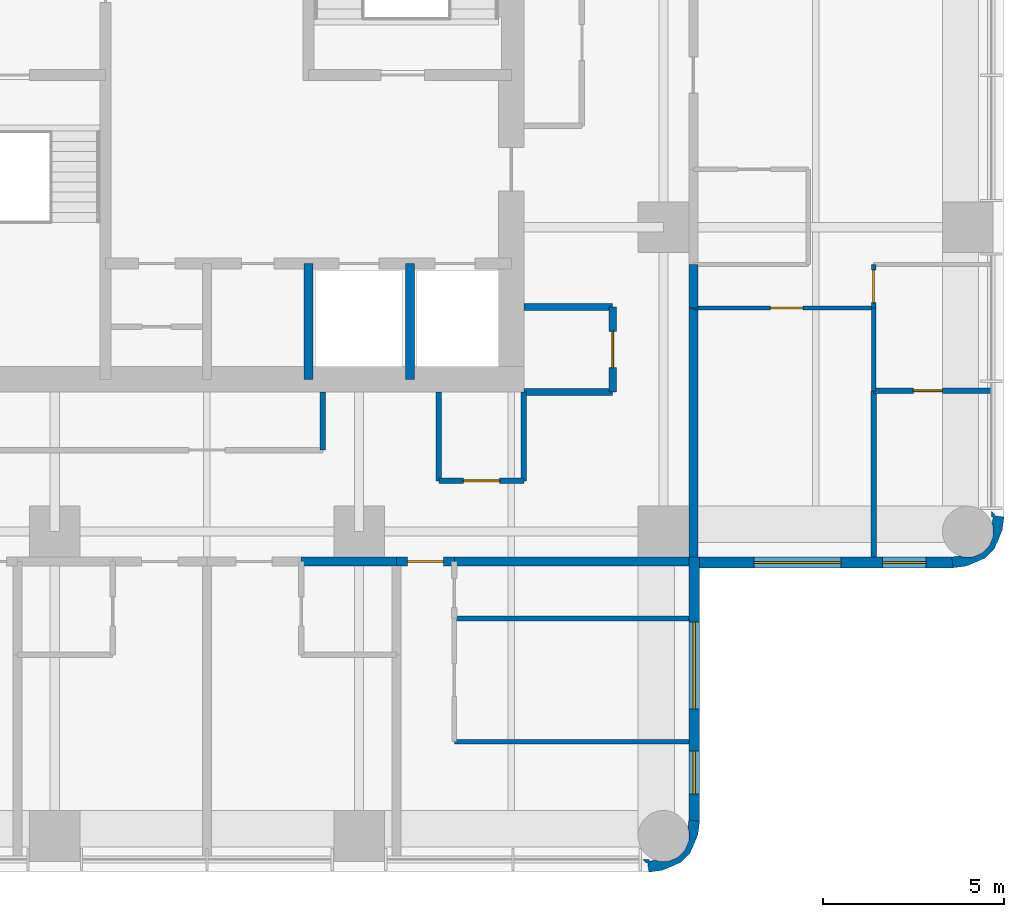
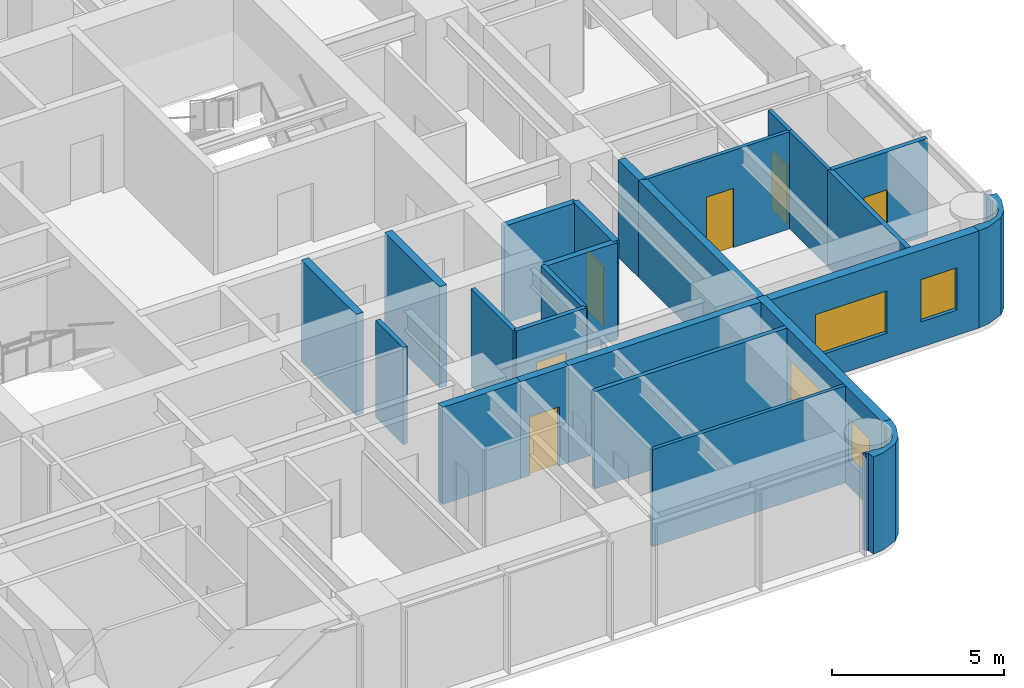
# One storey, part 7 of 11: 25 walls, 6 doors, 4 windows, 10 openings.
"""IFC4 building model written with IfcOpenShell, lengths in metres."""

from ifc_helpers import new_model, si_unit, direction, frame, frame_2d, origin, place, context, subcontext, project, spatial, polyline, rectangle, outline, extrude, material, layer, layer_set, type_object, element, fill, save


model = new_model("IFC4")

# Units and contexts
model_context = context("Model", 3, precision=1e-05, world=origin(), true_north=direction((0.0, 1.0)))
body_context = subcontext(model_context, "Body", "Model", "MODEL_VIEW")
ifc_project = project(units=[si_unit("LENGTHUNIT", "METRE"), si_unit("AREAUNIT", "SQUARE_METRE"), si_unit("VOLUMEUNIT", "CUBIC_METRE"), si_unit("PLANEANGLEUNIT", "RADIAN"), si_unit("MASSUNIT", "GRAM", prefix="KILO")], contexts=[model_context])

# Site, building, storey
site_placement = place(None, origin())
site = spatial("IfcSite", under=ifc_project, at=site_placement, CompositionType="ELEMENT")
building_placement = place(site_placement, origin())
building = spatial("IfcBuilding", under=site, at=building_placement, Name="Torre Alcanfor", CompositionType="ELEMENT")
storey_placement = place(building_placement, frame((0.0, 0.0, 233.699951171875)))
storey = spatial("IfcBuildingStorey", under=building, at=storey_placement, Name="L61", CompositionType="ELEMENT", Elevation=233.699951171875)

# Walls
ifc_material_1 = material(Name="Concrete block masonry, hollow blocks NMX-C-404 9 MPa", Category="masonry")
ifc_layer_1 = layer(ifc_material_1, 0.25)
ifc_layer_set_1 = layer_set([ifc_layer_1], Name="Apartment entrance wall 250 EI 60")
wall_type_1 = type_object("IfcWallType", Name="Apartment entrance wall 250 EI 60", PredefinedType="PARTITIONING", material=ifc_layer_set_1)
wall_1_placement = place(storey_placement, frame((42.824951171875, 24.1708984375, 0.0), z_axis=(0.0, 0.0, 1.0), x_axis=(0.0, -1.0, 0.0)))
element("IfcWall", 1, at=wall_1_placement, inside=storey, type_object=wall_type_1, Name="Partition L61-CORR / L61-EX-LIVING", PredefinedType="PARTITIONING", context=body_context, shape_type="SweptSolid", body=[
    extrude(rectangle(XDim=1.199951171875, YDim=0.25, at=frame_2d((0.60009765625, 0.0))), origin(), (0.0, 0.0, 1.0), 3.449951171875),
])
wall_2_placement = place(storey_placement, frame((42.824951171875, 22.970947265625, 0.0), z_axis=(0.0, 0.0, 1.0), x_axis=(0.0, -1.0, 0.0)))
element("IfcWall", 2, at=wall_2_placement, inside=storey, type_object=wall_type_1, Name="Partition L61-CORR / L61-EX-BED3", PredefinedType="PARTITIONING", context=body_context, shape_type="SweptSolid", body=[
    extrude(rectangle(XDim=6.870849609375, YDim=0.25, at=frame_2d((3.435546875, 0.0))), origin(), (0.0, 0.0, 1.0), 3.449951171875),
])
wall_3_placement = place(storey_placement, frame((34.62890625, 15.97509765625, 0.0), z_axis=(0.0, 0.0, 1.0), x_axis=(-1.0, 0.0, 0.0)))
element("IfcWall", 3, at=wall_3_placement, inside=storey, type_object=wall_type_1, Name="Partition L61-CORR / L61-S1A-BATH", PredefinedType="PARTITIONING", context=body_context, shape_type="SweptSolid", body=[
    extrude(rectangle(XDim=2.62890625, YDim=0.25, at=frame_2d((1.314453125, 0.0))), origin(), (0.0, 0.0, 1.0), 3.449951171875),
])

# Wall, opening, door
wall_4_placement = place(storey_placement, frame((36.22900390625, 15.97509765625, 0.0), z_axis=(0.0, 0.0, 1.0), x_axis=(-1.0, 0.0, 0.0)))
wall_4 = element("IfcWall", 4, at=wall_4_placement, inside=storey, type_object=wall_type_1, Name="Partition L61-CORR / L61-S1B-LIVING", PredefinedType="PARTITIONING", context=body_context, shape_type="SweptSolid", body=[
    extrude(rectangle(XDim=1.60009765625, YDim=0.25, at=frame_2d((0.800048828125, 0.0))), origin(), (0.0, 0.0, 1.0), 3.449951171875),
])
opening_1_placement = place(wall_4_placement, frame((0.300048828125, 0.0, 0.0)))
opening_1 = element("IfcOpeningElement", 5, at=opening_1_placement, cuts=wall_4, Name="Opening D-A1", PredefinedType="OPENING", context=body_context, shape_type="SweptSolid", body=[
    extrude(rectangle(XDim=1.0, YDim=2.10009765625, at=frame_2d((0.5, 1.050048828125))), frame((0.0, 0.135009765625, 0.0), z_axis=(0.0, -1.0, 0.0), x_axis=(1.0, 0.0, 0.0)), (0.0, 0.0, 1.0), 0.27001953125),
])
ifc_material_2 = material(Name="Galvanised steel sheet ASTM A653", Category="steel")
door_type_1 = type_object("IfcDoorType", Name="Apartment entrance door FD60 1000x2100", OperationType="SINGLE_SWING_LEFT", PredefinedType="DOOR", material=ifc_material_2)
door_1_placement = place(opening_1_placement, origin())
door_1 = element("IfcDoor", 6, at=door_1_placement, inside=storey, type_object=door_type_1, Name="Apartment entrance L61-S1B", OperationType="SINGLE_SWING_LEFT", OverallHeight=2.10009765625, OverallWidth=1.0, PredefinedType="DOOR", context=body_context, shape_type="SweptSolid", body=[
    extrude(rectangle(XDim=1.0, YDim=2.10009765625, at=frame_2d((0.5, 1.050048828125))), frame((0.0, 0.02490234375, 0.0), z_axis=(0.0, -1.0, 0.0), x_axis=(1.0, 0.0, 0.0)), (0.0, 0.0, 1.0), 0.050048828125),
])
fill(opening_1, door_1)

# Wall
wall_5_placement = place(storey_placement, frame((42.699951171875, 15.97509765625, 0.0), z_axis=(0.0, 0.0, 1.0), x_axis=(-1.0, 0.0, 0.0)))
element("IfcWall", 7, at=wall_5_placement, inside=storey, type_object=wall_type_1, Name="Partition L61-CORR / L61-S1B-BATH", PredefinedType="PARTITIONING", context=body_context, shape_type="SweptSolid", body=[
    extrude(rectangle(XDim=6.470947265625, YDim=0.25, at=frame_2d((3.2353515625, 0.0))), origin(), (0.0, 0.0, 1.0), 3.449951171875),
])

# Wall, opening, door
ifc_material_3 = material(Name="Gypsum board on steel studs", Category="steel")
ifc_layer_2 = layer(ifc_material_3, 0.1201171875)
ifc_layer_set_2 = layer_set([ifc_layer_2], Name="Apartment partition 120")
wall_type_2 = type_object("IfcWallType", Name="Apartment partition 120", PredefinedType="PARTITIONING", material=ifc_layer_set_2)
wall_6_placement = place(storey_placement, frame((47.800048828125, 22.970947265625, 0.0), z_axis=(0.0, 0.0, 1.0), x_axis=(-1.0, 0.0, 0.0)))
wall_6 = element("IfcWall", 8, at=wall_6_placement, inside=storey, type_object=wall_type_2, Name="Partition L61-EX-LIVING / L61-EX-BED3", PredefinedType="PARTITIONING", context=body_context, shape_type="SweptSolid", body=[
    extrude(rectangle(XDim=4.97509765625, YDim=0.1201171875, at=frame_2d((2.487548828125, 0.0))), origin(), (0.0, 0.0, 1.0), 3.449951171875),
])
opening_2_placement = place(wall_6_placement, frame((1.949951171875, 0.0, 0.0)))
opening_2 = element("IfcOpeningElement", 9, at=opening_2_placement, cuts=wall_6, Name="Opening D-R1", PredefinedType="OPENING", context=body_context, shape_type="SweptSolid", body=[
    extrude(rectangle(XDim=0.89990234375, YDim=2.10009765625, at=frame_2d((0.449951171875, 1.050048828125))), frame((0.0, 0.070068359375, 0.0), z_axis=(0.0, -1.0, 0.0), x_axis=(1.0, 0.0, 0.0)), (0.0, 0.0, 1.0), 0.14013671875),
])
ifc_material_4 = material(Name="Timber", Category="wood")
door_type_2 = type_object("IfcDoorType", Name="Internal door 900x2100", OperationType="SINGLE_SWING_LEFT", PredefinedType="DOOR", material=ifc_material_4)
door_2_placement = place(opening_2_placement, origin())
door_2 = element("IfcDoor", 10, at=door_2_placement, inside=storey, type_object=door_type_2, Name="Door L61-EX bed3", OperationType="SINGLE_SWING_LEFT", OverallHeight=2.10009765625, OverallWidth=0.89990234375, PredefinedType="DOOR", context=body_context, shape_type="SweptSolid", body=[
    extrude(rectangle(XDim=0.89990234375, YDim=2.10009765625, at=frame_2d((0.449951171875, 1.050048828125))), frame((0.0, 0.02490234375, 0.0), z_axis=(0.0, -1.0, 0.0), x_axis=(1.0, 0.0, 0.0)), (0.0, 0.0, 1.0), 0.050048828125),
])
fill(opening_2, door_2)

wall_7_placement = place(storey_placement, frame((47.800048828125, 24.1708984375, 0.0), z_axis=(0.0, 0.0, 1.0), x_axis=(0.0, -1.0, 0.0)))
wall_7 = element("IfcWall", 11, at=wall_7_placement, inside=storey, type_object=wall_type_2, Name="Partition L61-EX-LIVING / L61-EX-BED1", PredefinedType="PARTITIONING", context=body_context, shape_type="SweptSolid", body=[
    extrude(rectangle(XDim=1.199951171875, YDim=0.1201171875, at=frame_2d((0.60009765625, 0.0))), origin(), (0.0, 0.0, 1.0), 3.449951171875),
])
opening_3_placement = place(wall_7_placement, frame((0.15087890625, 0.0, 0.0)))
opening_3 = element("IfcOpeningElement", 12, at=opening_3_placement, cuts=wall_7, Name="Opening D-R1", PredefinedType="OPENING", context=body_context, shape_type="SweptSolid", body=[
    extrude(rectangle(XDim=0.89990234375, YDim=2.10009765625, at=frame_2d((0.449951171875, 1.050048828125))), frame((0.0, 0.070068359375, 0.0), z_axis=(0.0, -1.0, 0.0), x_axis=(1.0, 0.0, 0.0)), (0.0, 0.0, 1.0), 0.14013671875),
])
door_3_placement = place(opening_3_placement, origin())
door_3 = element("IfcDoor", 13, at=door_3_placement, inside=storey, type_object=door_type_2, Name="Door L61-EX bed1", OperationType="SINGLE_SWING_LEFT", OverallHeight=2.10009765625, OverallWidth=0.89990234375, PredefinedType="DOOR", context=body_context, shape_type="SweptSolid", body=[
    extrude(rectangle(XDim=0.89990234375, YDim=2.10009765625, at=frame_2d((0.449951171875, 1.050048828125))), frame((0.0, 0.02490234375, 0.0), z_axis=(0.0, -1.0, 0.0), x_axis=(1.0, 0.0, 0.0)), (0.0, 0.0, 1.0), 0.050048828125),
])
fill(opening_3, door_3)

# Walls
wall_8_placement = place(storey_placement, frame((47.800048828125, 20.68603515625, 0.0), z_axis=(0.0, 0.0, 1.0), x_axis=(0.0, 1.0, 0.0)))
element("IfcWall", 14, at=wall_8_placement, inside=storey, type_object=wall_type_2, Name="Partition L61-EX-BED3 / L61-EX-BED1", PredefinedType="PARTITIONING", context=body_context, shape_type="SweptSolid", body=[
    extrude(rectangle(XDim=2.284912109375, YDim=0.1201171875, at=frame_2d((1.142578125, 0.0))), origin(), (0.0, 0.0, 1.0), 3.449951171875),
])
wall_9_placement = place(storey_placement, frame((36.22900390625, 11.0, 0.0), z_axis=(0.0, 0.0, 1.0), x_axis=(1.0, 0.0, 0.0)))
element("IfcWall", 15, at=wall_9_placement, inside=storey, type_object=wall_type_2, Name="Partition L61-S1B-LIVING / L61-S1B-MASTER", PredefinedType="PARTITIONING", context=body_context, shape_type="SweptSolid", body=[
    extrude(rectangle(XDim=6.470947265625, YDim=0.1201171875, at=frame_2d((3.2353515625, 0.0))), origin(), (0.0, 0.0, 1.0), 3.449951171875),
])
ifc_material_5 = material(Name="Concrete f'c 70 MPa", Category="concrete")
ifc_layer_3 = layer(ifc_material_5, 0.25)
ifc_layer_set_3 = layer_set([ifc_layer_3], Name="Core shaft wall 250 f'c70")
wall_type_3 = type_object("IfcWallType", Name="Core shaft wall 250 f'c70", PredefinedType="SHEAR", material=ifc_layer_set_3)
for number, where, z_axis, x_axis, name in (
    (16, (32.199951171875, 21.0, 0.0), (0.0, 0.0, 1.0), (0.0, 1.0, 0.0), "Core wall X322S L61"),
    (17, (35.0, 21.0, 0.0), (0.0, 0.0, 1.0), (0.0, 1.0, 0.0), "Core wall X350S L61"),
):
    element("IfcWall", number, at=place(storey_placement, frame(where, z_axis=z_axis, x_axis=x_axis)), inside=storey, type_object=wall_type_3, Name=name, PredefinedType="SHEAR", context=body_context, shape_type="SweptSolid", body=[
        extrude(rectangle(XDim=3.199951171875, YDim=0.25, at=frame_2d((1.60009765625, 0.0))), origin(), (0.0, 0.0, 1.0), 3.60009765625),
    ])

# Wall, openings, windows
ifc_material_6 = material(Name="Limestone cladding", Category="masonry")
ifc_layer_4 = layer(ifc_material_6, 0.0400390625, Name="Facing")
ifc_material_7 = material(Name="Ventilated air cavity")
ifc_layer_5 = layer(ifc_material_7, 0.02001953125, ventilated=True, Name="Ventilated joint")
ifc_material_8 = material(Name="Mineral wool insulation", Category="insulation")
ifc_layer_6 = layer(ifc_material_8, 0.10009765625, Name="Insulation")
ifc_material_9 = material(Name="Concrete f'c 35 MPa", Category="concrete")
ifc_layer_7 = layer(ifc_material_9, 0.139892578125, Name="Backing")
ifc_layer_set_4 = layer_set([ifc_layer_4, ifc_layer_5, ifc_layer_6, ifc_layer_7], Name="External wall stone-clad 300")
wall_type_4 = type_object("IfcWallType", Name="External wall stone-clad 300", PredefinedType="SOLIDWALL", material=ifc_layer_set_4)
wall_10_placement = place(storey_placement, frame((42.85009765625, 8.800048828125, 0.0), z_axis=(0.0, 0.0, 1.0), x_axis=(0.0, 1.0, 0.0)))
wall_10 = element("IfcWall", 18, at=wall_10_placement, inside=storey, type_object=wall_type_4, Name="External wall L61 6", PredefinedType="SOLIDWALL", context=body_context, shape_type="SweptSolid", body=[
    extrude(rectangle(XDim=7.300048828125, YDim=0.300048828125, at=frame_2d((3.64990234375, 0.0))), origin(), (0.0, 0.0, 1.0), 3.449951171875),
])
opening_4_placement = place(wall_10_placement, frame((3.10009765625, 0.0, 0.89990234375)))
opening_4 = element("IfcOpeningElement", 19, at=opening_4_placement, cuts=wall_10, Name="Opening W1", PredefinedType="OPENING", context=body_context, shape_type="SweptSolid", body=[
    extrude(rectangle(XDim=2.39990234375, YDim=1.5, at=frame_2d((1.199951171875, 0.75))), frame((0.0, 0.159912109375, 0.0), z_axis=(0.0, -1.0, 0.0), x_axis=(1.0, 0.0, 0.0)), (0.0, 0.0, 1.0), 0.320068359375),
])
opening_5_placement = place(wall_10_placement, frame((0.75, 0.0, 0.89990234375)))
opening_5 = element("IfcOpeningElement", 20, at=opening_5_placement, cuts=wall_10, Name="Opening W4", PredefinedType="OPENING", context=body_context, shape_type="SweptSolid", body=[
    extrude(rectangle(XDim=1.199951171875, YDim=1.5, at=frame_2d((0.60009765625, 0.75))), frame((0.0, 0.159912109375, 0.0), z_axis=(0.0, -1.0, 0.0), x_axis=(1.0, 0.0, 0.0)), (0.0, 0.0, 1.0), 0.320068359375),
])
ifc_material_10 = material(Name="Aluminium frame with clear double glazing", Category="aluminium")
window_type_1 = type_object("IfcWindowType", Name="Window bedroom 1200x1500", PartitioningType="SINGLE_PANEL", PredefinedType="WINDOW", material=ifc_material_10)
window_1_placement = place(opening_5_placement, origin())
window_1 = element("IfcWindow", 21, at=window_1_placement, inside=storey, type_object=window_type_1, Name="Window W4 L61-S1", OverallHeight=1.5, OverallWidth=1.199951171875, PartitioningType="SINGLE_PANEL", PredefinedType="WINDOW", context=body_context, shape_type="SweptSolid", body=[
    extrude(rectangle(XDim=1.199951171875, YDim=1.5, at=frame_2d((0.60009765625, 0.75))), frame((0.0, 0.030029296875, 0.0), z_axis=(0.0, -1.0, 0.0), x_axis=(1.0, 0.0, 0.0)), (0.0, 0.0, 1.0), 0.06005859375),
])
fill(opening_5, window_1)
ifc_material_11 = material(Name="Aluminium frame with clear double glazing", Category="aluminium")
window_type_2 = type_object("IfcWindowType", Name="Window bedroom 2400x1500", PartitioningType="SINGLE_PANEL", PredefinedType="WINDOW", material=ifc_material_11)
window_2_placement = place(opening_4_placement, origin())
window_2 = element("IfcWindow", 22, at=window_2_placement, inside=storey, type_object=window_type_2, Name="Window W1 L61-S1", OverallHeight=1.5, OverallWidth=2.39990234375, PartitioningType="SINGLE_PANEL", PredefinedType="WINDOW", context=body_context, shape_type="SweptSolid", body=[
    extrude(rectangle(XDim=2.39990234375, YDim=1.5, at=frame_2d((1.199951171875, 0.75))), frame((0.0, 0.030029296875, 0.0), z_axis=(0.0, -1.0, 0.0), x_axis=(1.0, 0.0, 0.0)), (0.0, 0.0, 1.0), 0.06005859375),
])
fill(opening_4, window_2)

wall_11_placement = place(storey_placement, frame((43.0, 15.949951171875, 0.0), z_axis=(0.0, 0.0, 1.0), x_axis=(1.0, 0.0, 0.0)))
wall_11 = element("IfcWall", 23, at=wall_11_placement, inside=storey, type_object=wall_type_4, Name="External wall L61 7", PredefinedType="SOLIDWALL", context=body_context, shape_type="SweptSolid", body=[
    extrude(rectangle(XDim=7.0, YDim=0.300048828125, at=frame_2d((3.5, 0.0))), origin(), (0.0, 0.0, 1.0), 3.449951171875),
])
opening_6_placement = place(wall_11_placement, frame((1.5, 0.0, 0.89990234375)))
opening_6 = element("IfcOpeningElement", 24, at=opening_6_placement, cuts=wall_11, Name="Opening W1", PredefinedType="OPENING", context=body_context, shape_type="SweptSolid", body=[
    extrude(rectangle(XDim=2.39990234375, YDim=1.5, at=frame_2d((1.199951171875, 0.75))), frame((0.0, 0.159912109375, 0.0), z_axis=(0.0, -1.0, 0.0), x_axis=(1.0, 0.0, 0.0)), (0.0, 0.0, 1.0), 0.320068359375),
])
opening_7_placement = place(wall_11_placement, frame((5.050048828125, 0.0, 0.89990234375)))
opening_7 = element("IfcOpeningElement", 25, at=opening_7_placement, cuts=wall_11, Name="Opening W4", PredefinedType="OPENING", context=body_context, shape_type="SweptSolid", body=[
    extrude(rectangle(XDim=1.199951171875, YDim=1.5, at=frame_2d((0.60009765625, 0.75))), frame((0.0, 0.159912109375, 0.0), z_axis=(0.0, -1.0, 0.0), x_axis=(1.0, 0.0, 0.0)), (0.0, 0.0, 1.0), 0.320068359375),
])
window_3_placement = place(opening_7_placement, origin())
window_3 = element("IfcWindow", 26, at=window_3_placement, inside=storey, type_object=window_type_1, Name="Window W4 L61-E2", OverallHeight=1.5, OverallWidth=1.199951171875, PartitioningType="SINGLE_PANEL", PredefinedType="WINDOW", context=body_context, shape_type="SweptSolid", body=[
    extrude(rectangle(XDim=1.199951171875, YDim=1.5, at=frame_2d((0.60009765625, 0.75))), frame((0.0, 0.030029296875, 0.0), z_axis=(0.0, -1.0, 0.0), x_axis=(1.0, 0.0, 0.0)), (0.0, 0.0, 1.0), 0.06005859375),
])
fill(opening_7, window_3)
window_4_placement = place(opening_6_placement, origin())
window_4 = element("IfcWindow", 27, at=window_4_placement, inside=storey, type_object=window_type_2, Name="Window W1 L61-E2", OverallHeight=1.5, OverallWidth=2.39990234375, PartitioningType="SINGLE_PANEL", PredefinedType="WINDOW", context=body_context, shape_type="SweptSolid", body=[
    extrude(rectangle(XDim=2.39990234375, YDim=1.5, at=frame_2d((1.199951171875, 0.75))), frame((0.0, 0.030029296875, 0.0), z_axis=(0.0, -1.0, 0.0), x_axis=(1.0, 0.0, 0.0)), (0.0, 0.0, 1.0), 0.06005859375),
])
fill(opening_6, window_4)

# Wall
ifc_material_12 = material(Name="Concrete block masonry, hollow blocks NMX-C-404 9 MPa", Category="masonry")
ifc_layer_8 = layer(ifc_material_12, 0.199951171875)
ifc_layer_set_5 = layer_set([ifc_layer_8], Name="Plant room wall 200 EI 60")
wall_type_5 = type_object("IfcWallType", Name="Plant room wall 200 EI 60", PredefinedType="PARTITIONING", material=ifc_layer_set_5)
wall_12_placement = place(storey_placement, frame((38.14990234375, 20.64990234375, 0.0), z_axis=(0.0, 0.0, 1.0), x_axis=(1.0, 0.0, 0.0)))
element("IfcWall", 28, at=wall_12_placement, inside=storey, type_object=wall_type_5, Name="Partition L61-CORR / L61-G03", PredefinedType="PARTITIONING", context=body_context, shape_type="SweptSolid", body=[
    extrude(rectangle(XDim=2.4501953125, YDim=0.199951171875, at=frame_2d((1.22509765625, 0.0))), origin(), (0.0, 0.0, 1.0), 3.449951171875),
])

# Wall, opening, door
wall_13_placement = place(storey_placement, frame((40.60009765625, 20.64990234375, 0.0), z_axis=(0.0, 0.0, 1.0), x_axis=(0.0, 1.0, 0.0)))
wall_13 = element("IfcWall", 29, at=wall_13_placement, inside=storey, type_object=wall_type_5, Name="Partition L61-CORR / L61-G03", PredefinedType="PARTITIONING", context=body_context, shape_type="SweptSolid", body=[
    extrude(rectangle(XDim=2.35009765625, YDim=0.199951171875, at=frame_2d((1.175048828125, 0.0))), origin(), (0.0, 0.0, 1.0), 3.449951171875),
])
opening_8_placement = place(wall_13_placement, frame((0.675048828125, 0.0, 0.0)))
opening_8 = element("IfcOpeningElement", 30, at=opening_8_placement, cuts=wall_13, Name="Opening D-K1", PredefinedType="OPENING", context=body_context, shape_type="SweptSolid", body=[
    extrude(rectangle(XDim=1.0, YDim=2.10009765625, at=frame_2d((0.5, 1.050048828125))), frame((0.0, 0.10986328125, 0.0), z_axis=(0.0, -1.0, 0.0), x_axis=(1.0, 0.0, 0.0)), (0.0, 0.0, 1.0), 0.219970703125),
])
ifc_material_13 = material(Name="Galvanised steel sheet ASTM A653", Category="steel")
door_type_3 = type_object("IfcDoorType", Name="Core room door FD60 1000x2100", OperationType="SINGLE_SWING_LEFT", PredefinedType="DOOR", material=ifc_material_13)
door_4_placement = place(opening_8_placement, origin())
door_4 = element("IfcDoor", 31, at=door_4_placement, inside=storey, type_object=door_type_3, Name="Door L61-G03 refuse and recycling store", OperationType="SINGLE_SWING_LEFT", OverallHeight=2.10009765625, OverallWidth=1.0, PredefinedType="DOOR", context=body_context, shape_type="SweptSolid", body=[
    extrude(rectangle(XDim=1.0, YDim=2.10009765625, at=frame_2d((0.5, 1.050048828125))), frame((0.0, 0.02490234375, 0.0), z_axis=(0.0, -1.0, 0.0), x_axis=(1.0, 0.0, 0.0)), (0.0, 0.0, 1.0), 0.050048828125),
])
fill(opening_8, door_4)

# Walls
wall_14_placement = place(storey_placement, frame((40.60009765625, 23.0, 0.0), z_axis=(0.0, 0.0, 1.0), x_axis=(-1.0, 0.0, 0.0)))
element("IfcWall", 32, at=wall_14_placement, inside=storey, type_object=wall_type_5, Name="Partition L61-CORR / L61-G03", PredefinedType="PARTITIONING", context=body_context, shape_type="SweptSolid", body=[
    extrude(rectangle(XDim=2.4501953125, YDim=0.199951171875, at=frame_2d((1.22509765625, 0.0))), origin(), (0.0, 0.0, 1.0), 3.449951171875),
])
ifc_material_14 = material(Name="Concrete block masonry, hollow blocks NMX-C-404 9 MPa", Category="masonry")
ifc_layer_9 = layer(ifc_material_14, 0.14990234375)
ifc_layer_set_6 = layer_set([ifc_layer_9], Name="Residents' room partition 150")
wall_type_6 = type_object("IfcWallType", Name="Residents' room partition 150", PredefinedType="PARTITIONING", material=ifc_layer_set_6)
wall_15_placement = place(storey_placement, frame((32.60009765625, 19.050048828125, 0.0), z_axis=(0.0, 0.0, 1.0), x_axis=(0.0, 1.0, 0.0)))
element("IfcWall", 33, at=wall_15_placement, inside=storey, type_object=wall_type_6, Name="Partition L61-CORR / L61-G05", PredefinedType="PARTITIONING", context=body_context, shape_type="SweptSolid", body=[
    extrude(rectangle(XDim=1.599853515625, YDim=0.14990234375, at=frame_2d((0.7998046875, 0.0))), origin(), (0.0, 0.0, 1.0), 3.449951171875),
])
wall_16_placement = place(storey_placement, frame((35.800048828125, 20.64990234375, 0.0), z_axis=(0.0, 0.0, 1.0), x_axis=(0.0, -1.0, 0.0)))
element("IfcWall", 34, at=wall_16_placement, inside=storey, type_object=wall_type_6, Name="Partition L61-CORR / L61-G06", PredefinedType="PARTITIONING", context=body_context, shape_type="SweptSolid", body=[
    extrude(rectangle(XDim=2.449951171875, YDim=0.14990234375, at=frame_2d((1.22509765625, 0.0))), origin(), (0.0, 0.0, 1.0), 3.449951171875),
])

# Wall, opening, door
wall_17_placement = place(storey_placement, frame((35.800048828125, 18.199951171875, 0.0), z_axis=(0.0, 0.0, 1.0), x_axis=(1.0, 0.0, 0.0)))
wall_17 = element("IfcWall", 35, at=wall_17_placement, inside=storey, type_object=wall_type_6, Name="Partition L61-CORR / L61-G06", PredefinedType="PARTITIONING", context=body_context, shape_type="SweptSolid", body=[
    extrude(rectangle(XDim=2.349853515625, YDim=0.14990234375, at=frame_2d((1.1748046875, 0.0))), origin(), (0.0, 0.0, 1.0), 3.449951171875),
])
opening_9_placement = place(wall_17_placement, frame((0.675048828125, 0.0, 0.0)))
opening_9 = element("IfcOpeningElement", 36, at=opening_9_placement, cuts=wall_17, Name="Opening D-M1", PredefinedType="OPENING", context=body_context, shape_type="SweptSolid", body=[
    extrude(rectangle(XDim=1.0, YDim=2.10009765625, at=frame_2d((0.5, 1.050048828125))), frame((0.0, 0.0849609375, 0.0), z_axis=(0.0, -1.0, 0.0), x_axis=(1.0, 0.0, 0.0)), (0.0, 0.0, 1.0), 0.169921875),
])
ifc_material_15 = material(Name="Timber", Category="wood")
door_type_4 = type_object("IfcDoorType", Name="Residents' room door 1000x2100", OperationType="SINGLE_SWING_LEFT", PredefinedType="DOOR", material=ifc_material_15)
door_5_placement = place(opening_9_placement, origin())
door_5 = element("IfcDoor", 37, at=door_5_placement, inside=storey, type_object=door_type_4, Name="Door L61-G06 residents' lockers", OperationType="SINGLE_SWING_LEFT", OverallHeight=2.10009765625, OverallWidth=1.0, PredefinedType="DOOR", context=body_context, shape_type="SweptSolid", body=[
    extrude(rectangle(XDim=1.0, YDim=2.10009765625, at=frame_2d((0.5, 1.050048828125))), frame((0.0, 0.02490234375, 0.0), z_axis=(0.0, -1.0, 0.0), x_axis=(1.0, 0.0, 0.0)), (0.0, 0.0, 1.0), 0.050048828125),
])
fill(opening_9, door_5)

# Walls
wall_18_placement = place(storey_placement, frame((38.14990234375, 18.199951171875, 0.0), z_axis=(0.0, 0.0, 1.0), x_axis=(0.0, 1.0, 0.0)))
element("IfcWall", 38, at=wall_18_placement, inside=storey, type_object=wall_type_6, Name="Partition L61-CORR / L61-G06", PredefinedType="PARTITIONING", context=body_context, shape_type="SweptSolid", body=[
    extrude(rectangle(XDim=2.449951171875, YDim=0.14990234375, at=frame_2d((1.22509765625, 0.0))), origin(), (0.0, 0.0, 1.0), 3.449951171875),
])
ifc_layer_10 = layer(ifc_material_6, 0.0400390625, Name="Facing")
ifc_layer_11 = layer(ifc_material_7, 0.02001953125, ventilated=True, Name="Ventilated joint")
ifc_layer_12 = layer(ifc_material_8, 0.10009765625, Name="Insulation")
ifc_layer_13 = layer(ifc_material_9, 0.139892578125, Name="Backing")
ifc_layer_set_7 = layer_set([ifc_layer_10, ifc_layer_11, ifc_layer_12, ifc_layer_13], Name="Rounded corner pier stone-clad 300")
wall_type_7 = type_object("IfcWallType", Name="Rounded corner pier stone-clad 300", PredefinedType="SOLIDWALL", material=ifc_layer_set_7)
wall_19_placement = place(storey_placement, frame((41.487674505, 7.81184816, 0.0), z_axis=(0.0, 0.0, 1.0), x_axis=(0.439933741929, -0.898030234854, 0.0)))
element("IfcWall", 39, at=wall_19_placement, inside=storey, type_object=wall_type_7, Name="Corner pier L61 16", PredefinedType="SOLIDWALL", context=body_context, shape_type="SweptSolid", body=[
    extrude(outline(polyline([(-0.22211106405008596, 1.79285683715578), (-0.38963046514304167, 1.5408036407584151), (-0.3716523207929293, 1.5319963734639448), (-0.19468756344442484, 1.4143112499146666), (-0.11952867709650372, 1.4095716139925836), (0.13084986982823227, 1.2869143060622759), (0.31521775375122, 1.077790939273673), (0.4056918504372342, 0.8140758848288827), (0.38808178724257975, 0.5356161745678794), (0.2654244793122719, 0.2852376276431435), (0.2089428669679142, 0.23542648619150297), (0.14753391384334946, 0.052913590909571956), (0.10500025525893722, 0.07375029645990445), (0.031856974435347366, -0.07555599991115089), (0.1375846098688884, -0.03953909720776211), (0.1818140873587874, -0.00030939302076338215), (0.41939853572309777, -0.08026947549461516), (0.5358164427032454, 0.26614260505761644), (0.5587307592354187, 0.6309028220812384), (0.5547454122460747, 0.6510699721236227), (0.5663481591314005, 0.8356895887147825), (0.4554073490163316, 1.1591818423176052), (0.33330228334154954, 1.2978396679318425), (0.3239786746038034, 1.3165440299102549), (0.08230538830534162, 1.5907138760183892), (-0.22211106405008596, 1.79285683715578)])), origin(), (0.0, 0.0, 1.0), 3.449951171875),
])
wall_20_placement = place(storey_placement, frame((50.110315272, 16.075788181, 0.0), z_axis=(0.0, 0.0, 1.0), x_axis=(0.898030234854, -0.439933741929, 0.0)))
element("IfcWall", 40, at=wall_20_placement, inside=storey, type_object=wall_type_7, Name="Corner pier L61 17", PredefinedType="SOLIDWALL", context=body_context, shape_type="SweptSolid", body=[
    extrude(outline(polyline([(0.6635309497954787, 1.5768652207279077), (0.4261657470939745, 1.4970125439527688), (0.3820436753027886, 1.5360230024769612), (0.27620863417053443, 1.5722591508431565), (0.3493519149941243, 1.422952854472101), (0.3918855735785366, 1.4437895600224335), (0.45340193240181437, 1.2610574190776962), (0.5097761390474591, 1.211465523288862), (0.6324334469777668, 0.961086976364126), (0.6500435101724213, 0.6826272661031227), (0.5595694134864071, 0.41891221165833237), (0.3749822839006132, 0.2096814391710166), (0.12460373697587725, 0.08702413124070879), (0.0497715019894753, 0.08217265535453251), (-0.12751990672054841, -0.03540062823065235), (-0.14527880540785457, -0.04410048982640973), (0.02224059568510124, -0.2961536862237746), (0.3266570480405287, -0.09401072508638375), (0.5683303343389906, 0.18015912102175058), (0.5774346974139304, 0.19875607730145015), (0.6998664144502319, 0.3373020629515939), (0.8106998188665876, 0.6610135622172228), (0.7988778263184556, 0.8455257731096697), (0.8030824189706058, 0.8658003288507671), (0.7801681024384324, 1.230560545874389), (0.6635309497954787, 1.5768652207279077)])), origin(), (0.0, 0.0, 1.0), 3.449951171875),
])
ifc_material_16 = material(Name="Cement board on steel studs", Category="steel")
ifc_layer_14 = layer(ifc_material_16, 0.14990234375)
ifc_layer_set_8 = layer_set([ifc_layer_14], Name="Wet area partition 150")
wall_type_8 = type_object("IfcWallType", Name="Wet area partition 150", PredefinedType="PARTITIONING", material=ifc_layer_set_8)
wall_21_placement = place(storey_placement, frame((47.800048828125, 16.10009765625, 0.0), z_axis=(0.0, 0.0, 1.0), x_axis=(0.0, 1.0, 0.0)))
element("IfcWall", 41, at=wall_21_placement, inside=storey, type_object=wall_type_8, Name="Partition L61-EX-BED3 / L61-EX-BATH1", PredefinedType="PARTITIONING", context=body_context, shape_type="SweptSolid", body=[
    extrude(rectangle(XDim=4.5859375, YDim=0.14990234375, at=frame_2d((2.29296875, 0.0))), origin(), (0.0, 0.0, 1.0), 3.449951171875),
])

# Wall, opening, door
wall_22_placement = place(storey_placement, frame((51.050048828125, 20.68603515625, 0.0), z_axis=(0.0, 0.0, 1.0), x_axis=(-1.0, 0.0, 0.0)))
wall_22 = element("IfcWall", 42, at=wall_22_placement, inside=storey, type_object=wall_type_8, Name="Partition L61-EX-BATH1 / L61-EX-BED1", PredefinedType="PARTITIONING", context=body_context, shape_type="SweptSolid", body=[
    extrude(rectangle(XDim=3.25, YDim=0.14990234375, at=frame_2d((1.625, 0.0))), origin(), (0.0, 0.0, 1.0), 3.449951171875),
])
opening_10_placement = place(wall_22_placement, frame((1.35009765625, 0.0, 0.0)))
opening_10 = element("IfcOpeningElement", 43, at=opening_10_placement, cuts=wall_22, Name="Opening D-R2", PredefinedType="OPENING", context=body_context, shape_type="SweptSolid", body=[
    extrude(rectangle(XDim=0.800048828125, YDim=2.10009765625, at=frame_2d((0.39990234375, 1.050048828125))), frame((0.0, 0.0849609375, 0.0), z_axis=(0.0, -1.0, 0.0), x_axis=(1.0, 0.0, 0.0)), (0.0, 0.0, 1.0), 0.169921875),
])
ifc_material_17 = material(Name="Timber", Category="wood")
door_type_5 = type_object("IfcDoorType", Name="Bathroom door 800x2100", OperationType="SINGLE_SWING_LEFT", PredefinedType="DOOR", material=ifc_material_17)
door_6_placement = place(opening_10_placement, frame((0.800048828125, 0.0, 0.0), z_axis=(0.0, 0.0, 1.0), x_axis=(-1.0, 0.0, 0.0)))
door_6 = element("IfcDoor", 44, at=door_6_placement, inside=storey, type_object=door_type_5, Name="Door L61-EX bath1", OperationType="SINGLE_SWING_LEFT", OverallHeight=2.10009765625, OverallWidth=0.800048828125, PredefinedType="DOOR", context=body_context, shape_type="SweptSolid", body=[
    extrude(rectangle(XDim=0.800048828125, YDim=2.10009765625, at=frame_2d((0.400146484375, 1.050048828125))), frame((0.0, 0.025146484375, 0.0), z_axis=(0.0, -1.0, 0.0), x_axis=(1.0, 0.0, 0.0)), (0.0, 0.0, 1.0), 0.050048828125),
])
fill(opening_10, door_6)

# Wall
wall_23_placement = place(storey_placement, frame((36.22900390625, 14.39990234375, 0.0), z_axis=(0.0, 0.0, 1.0), x_axis=(1.0, 0.0, 0.0)))
element("IfcWall", 45, at=wall_23_placement, inside=storey, type_object=wall_type_8, Name="Partition L61-S1B-BATH / L61-S1B-MASTER", PredefinedType="PARTITIONING", context=body_context, shape_type="SweptSolid", body=[
    extrude(rectangle(XDim=6.470947265625, YDim=0.14990234375, at=frame_2d((3.2353515625, 0.0))), origin(), (0.0, 0.0, 1.0), 3.449951171875),
])

save(model, "model.ifc")
